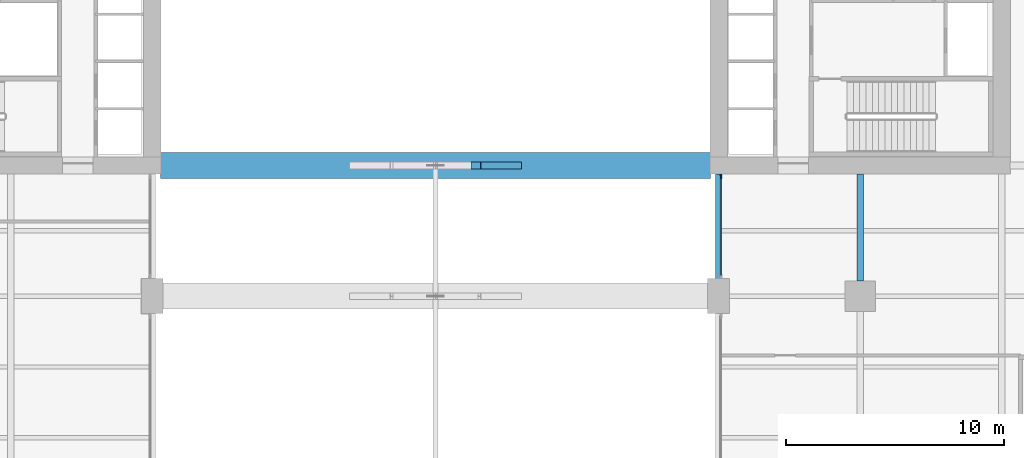
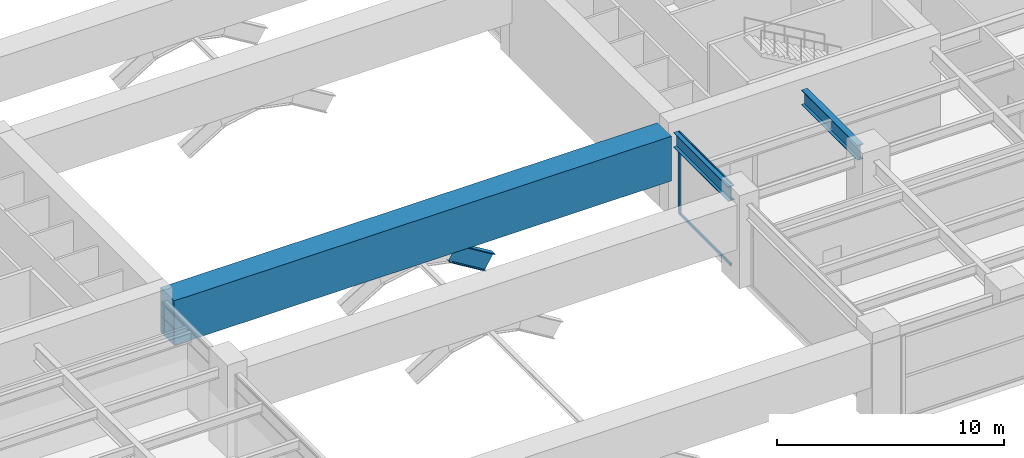
# One storey, part 5 of 23: 4 members, 3 beams, 1 element without a shape of its own.
"""IFC4 building model written with IfcOpenShell, lengths in metres."""

from ifc_helpers import new_model, si_unit, direction, frame, origin, origin_2d, place, context, subcontext, project, spatial, rectangle, i_section, extrude, material, layer, layer_set, material_profile, profile_set, type_object, element, aggregate, save


model = new_model("IFC4")

# Units and contexts
model_context = context("Model", 3, precision=1e-05, world=origin(), true_north=direction((0.0, 1.0)))
body_context = subcontext(model_context, "Body", "Model", "MODEL_VIEW")
ifc_project = project(units=[si_unit("LENGTHUNIT", "METRE"), si_unit("AREAUNIT", "SQUARE_METRE"), si_unit("VOLUMEUNIT", "CUBIC_METRE"), si_unit("PLANEANGLEUNIT", "RADIAN"), si_unit("MASSUNIT", "GRAM", prefix="KILO")], contexts=[model_context])

# Site, building, storey
site_placement = place(None, origin())
site = spatial("IfcSite", under=ifc_project, at=site_placement, CompositionType="ELEMENT")
building_placement = place(site_placement, origin())
building = spatial("IfcBuilding", under=site, at=building_placement, Name="Putna Gate Headquarters", CompositionType="ELEMENT")
storey_placement = place(building_placement, frame((0.0, 0.0, 17.0)))
storey = spatial("IfcBuildingStorey", under=building, at=storey_placement, Name="L03", CompositionType="ELEMENT", Elevation=17.0)

# Beams
ifc_material_1 = material(Name="Steel S355J2", Category="steel")
ifc_material_profile_1 = material_profile(ifc_material_1, i_section(OverallWidth=0.300048828125, OverallDepth=0.800048828125, WebThickness=0.017578125, FlangeThickness=0.032958984375, at=origin_2d()), Name="Steel S355J2")
ifc_profile_set_1 = profile_set([ifc_material_profile_1], Name="Steel S355J2")
beam_type_1 = type_object("IfcBeamType", Name="BM-GIRD-P-HEB800", PredefinedType="USERDEFINED", material=ifc_profile_set_1)
beam_1_placement = place(storey_placement, frame((52.0, 13.7880859375, 4.0), z_axis=(0.0, 1.0, 0.0), x_axis=(-1.0, 0.0, 0.0)))
element("IfcBeam", 1, at=beam_1_placement, inside=storey, type_object=beam_type_1, Name="L03 South Primary Girder X52-2", ObjectType="GIRDER", PredefinedType="USERDEFINED", context=body_context, shape_type="SweptSolid", body=[
    extrude(i_section(OverallWidth=0.300048828125, OverallDepth=0.800048828125, WebThickness=0.017578125, FlangeThickness=0.032958984375, at=origin_2d()), origin(), (0.0, 0.0, 1.0), 4.826904296875),
])
beam_2_placement = place(storey_placement, frame((58.5, 13.68798828125, 4.0), z_axis=(0.0, 1.0, 0.0), x_axis=(-1.0, 0.0, 0.0)))
element("IfcBeam", 2, at=beam_2_placement, inside=storey, type_object=beam_type_1, Name="L03 South Primary Girder X58-2", ObjectType="GIRDER", PredefinedType="USERDEFINED", context=body_context, shape_type="SweptSolid", body=[
    extrude(i_section(OverallWidth=0.300048828125, OverallDepth=0.800048828125, WebThickness=0.017578125, FlangeThickness=0.032958984375, at=origin_2d()), origin(), (0.0, 0.0, 1.0), 4.927001953125),
])
ifc_material_2 = material(Name="Concrete C50/60", Category="concrete")
ifc_material_profile_2 = material_profile(ifc_material_2, rectangle(XDim=1.199951171875, YDim=2.39990234375, at=origin_2d()), Name="Concrete C50/60")
ifc_profile_set_2 = profile_set([ifc_material_profile_2], Name="Concrete C50/60")
beam_type_2 = type_object("IfcBeamType", Name="BM-TG-RC2400", PredefinedType="USERDEFINED", material=ifc_profile_set_2)
beam_3_placement = place(storey_placement, frame((26.3798828125, 19.0, 3.199951171875), z_axis=(1.0, 0.0, 0.0), x_axis=(0.0, 1.0, 0.0)))
element("IfcBeam", 3, at=beam_3_placement, inside=storey, type_object=beam_type_2, Name="L03 Giant Arch Transfer Girder AS", ObjectType="GIRDER", PredefinedType="USERDEFINED", context=body_context, shape_type="SweptSolid", body=[
    extrude(rectangle(XDim=1.199951171875, YDim=2.39990234375, at=origin_2d()), origin(), (0.0, 0.0, 1.0), 25.240234375),
])

# Member
ifc_material_3 = material(Name="Steel S460M", Category="steel")
ifc_material_profile_3 = material_profile(ifc_material_3, i_section(OverallWidth=0.302001953125, OverallDepth=0.909912109375, WebThickness=0.02099609375, FlangeThickness=0.0400390625, at=origin_2d()), Name="Steel S460M")
ifc_profile_set_3 = profile_set([ifc_material_profile_3], Name="Steel S460M")
member_type_1 = type_object("IfcMemberType", Name="MEM-ARCH-CHORD-INT-HEM900", PredefinedType="STRUT", material=ifc_profile_set_3)
member_1_placement = place(storey_placement, frame((40.857177734375, 19.0, 1.574462890625), z_axis=(0.855013592355, 0.0, -0.518605588948), x_axis=(0.0, 1.0, 0.0)))
element("IfcMember", 4, at=member_1_placement, inside=storey, type_object=member_type_1, Name="Giant Parabolic Arch Chord AS-9", PredefinedType="STRUT", context=body_context, shape_type="SweptSolid", body=[
    extrude(i_section(OverallWidth=0.302001953125, OverallDepth=0.909912109375, WebThickness=0.02099609375, FlangeThickness=0.0400390625, at=origin_2d()), origin(), (0.0, 0.0, 1.0), 2.172119140625),
])

# Curtain wall, members
ifc_material_4 = material(Name="Anodised bronze aluminium curtain wall", Category="aluminium")
ifc_layer = layer(ifc_material_4, 0.179931640625)
ifc_layer_set = layer_set([ifc_layer], Name="Anodised bronze aluminium curtain wall")
curtain_wall_type = type_object("IfcCurtainWallType", Name="CW-SYS-ATR", PredefinedType="USERDEFINED", material=ifc_layer_set)
curtain_wall_placement = place(storey_placement, origin())
curtain_wall = element("IfcCurtainWall", 5, at=curtain_wall_placement, inside=storey, type_object=curtain_wall_type, Name="L03 Arch Flank Glazing E-S2", ObjectType="ATRIUM GLAZING", PredefinedType="USERDEFINED")
ifc_material_5 = material(Name="Anodised bronze aluminium EN AW-6060", Category="aluminium")
ifc_material_profile_4 = material_profile(ifc_material_5, rectangle(XDim=0.070068359375, YDim=0.179931640625, at=origin_2d()), Name="Anodised bronze aluminium EN AW-6060")
ifc_profile_set_4 = profile_set([ifc_material_profile_4], Name="Anodised bronze aluminium EN AW-6060")
member_type_2 = type_object("IfcMemberType", Name="MULL-CWM-AT", PredefinedType="MULLION", material=ifc_profile_set_4)
member_2_placement = place(storey_placement, frame((52.10009765625, 18.485107421875, 0.0), z_axis=(0.0, 0.0, 1.0), x_axis=(-1.0, 0.0, 0.0)))
member_2 = element("IfcMember", 6, at=member_2_placement, type_object=member_type_2, Name="CWS-AT mullion 2", PredefinedType="MULLION", context=body_context, shape_type="SweptSolid", body=[
    extrude(rectangle(XDim=0.070068359375, YDim=0.179931640625, at=origin_2d()), origin(), (0.0, 0.0, 1.0), 4.39990234375),
])
ifc_material_profile_5 = material_profile(ifc_material_5, rectangle(XDim=0.070068359375, YDim=0.139892578125, at=origin_2d()), Name="Anodised bronze aluminium EN AW-6060")
ifc_profile_set_5 = profile_set([ifc_material_profile_5], Name="Anodised bronze aluminium EN AW-6060")
member_type_3 = type_object("IfcMemberType", Name="TRAN-CWT-AT", PredefinedType="USERDEFINED", material=ifc_profile_set_5)
member_3_placement = place(storey_placement, frame((52.10009765625, 13.949951171875, 0.034912109375), z_axis=(0.0, 1.0, 0.0), x_axis=(-1.0, 0.0, 0.0)))
member_3 = element("IfcMember", 7, at=member_3_placement, type_object=member_type_3, Name="CWS-AT transom 1.1", ObjectType="TRANSOM", PredefinedType="USERDEFINED", context=body_context, shape_type="SweptSolid", body=[
    extrude(rectangle(XDim=0.070068359375, YDim=0.139892578125, at=origin_2d()), origin(), (0.0, 0.0, 1.0), 4.5),
])
member_4_placement = place(storey_placement, frame((52.10009765625, 13.949951171875, 4.364990234375), z_axis=(0.0, 1.0, 0.0), x_axis=(-1.0, 0.0, 0.0)))
member_4 = element("IfcMember", 8, at=member_4_placement, type_object=member_type_3, Name="CWS-AT transom 1.2", ObjectType="TRANSOM", PredefinedType="USERDEFINED", context=body_context, shape_type="SweptSolid", body=[
    extrude(rectangle(XDim=0.070068359375, YDim=0.139892578125, at=origin_2d()), origin(), (0.0, 0.0, 1.0), 4.5),
])
aggregate(curtain_wall, [member_2, member_3, member_4])

save(model, "model.ifc")
